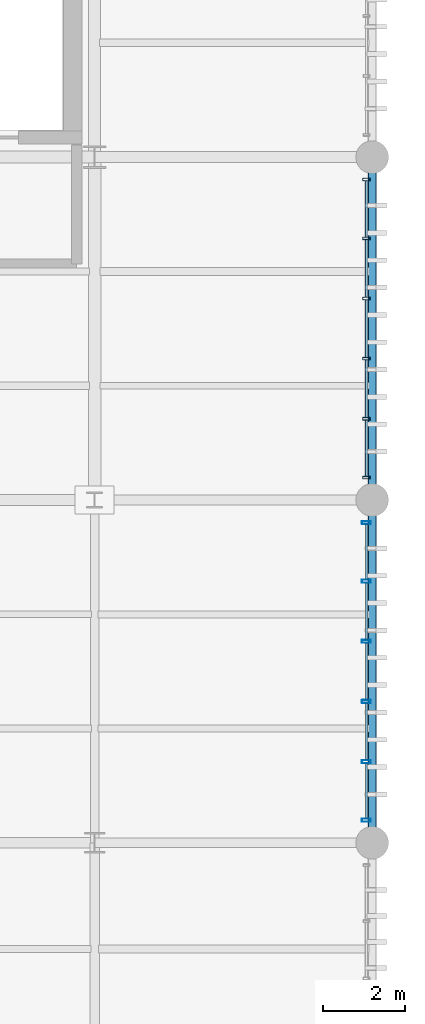
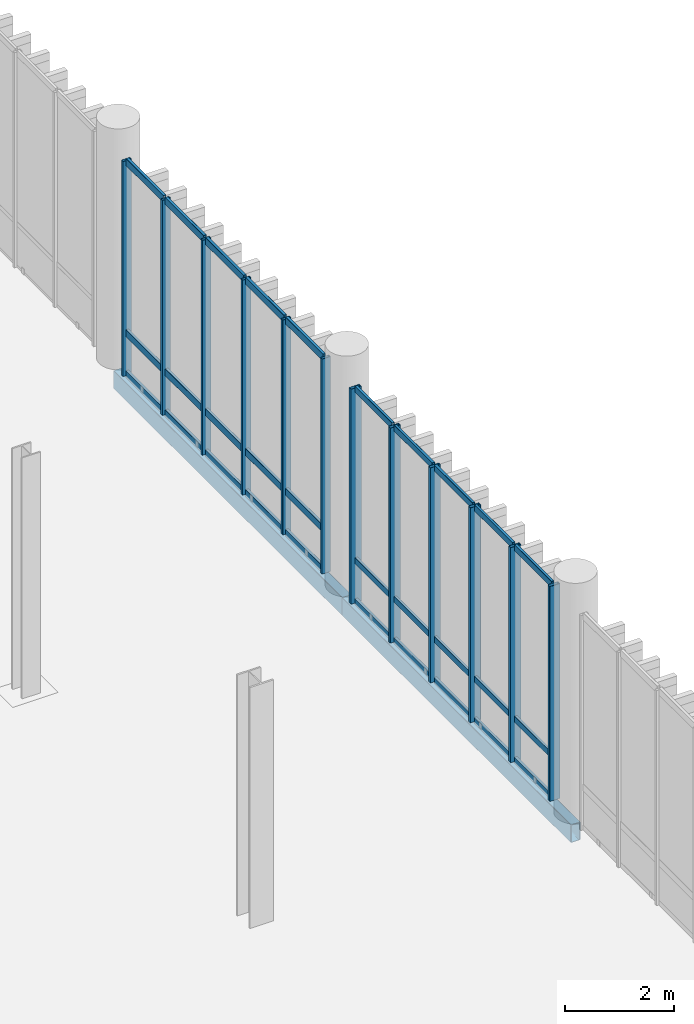
# One storey, part 67 of 112: 42 members, 2 beams, 2 elements without a shape of their own.
"""IFC4 building model written with IfcOpenShell, lengths in metres."""

import ifcopenshell
import ifcopenshell.guid

model = None  # the IFC model being written
_history = None  # IfcOwnerHistory: only IFC2X3 demands one
_inside = {}  # id of a spatial element -> (the spatial element, [elements in it])
_under = {}  # id of a project, library or spatial element -> (it, [spatial elements below it])
_declared = {}  # id of a project -> (the project, [libraries it declares])
_typed = {}  # id of a type object -> (the type object, [elements of that type])
_made_of = {}  # id of a material, layer set ... -> (it, [elements and type objects made of it])


def new_model(schema):
    """Start an empty IFC model of exactly this schema.

    Asked for "IFC4X3", IfcOpenShell would pick the latest addendum, in which some entities
    have other attributes; the version numbers below select the first issue.
    IFC2X3 requires an IfcOwnerHistory on every rooted entity: one is made here for all.
    """
    global model, _history
    if schema == "IFC4X3":
        model = ifcopenshell.file(schema_version=(4, 3, 0, 0))
    else:
        model = ifcopenshell.file(schema=schema)
    _inside.clear()
    _under.clear()
    _declared.clear()
    _typed.clear()
    _made_of.clear()
    _history = None
    if model.schema == "IFC2X3":
        org = make("IfcOrganization", Name="unknown")
        user = make(
            "IfcPersonAndOrganization",
            ThePerson=make("IfcPerson", FamilyName="unknown"),
            TheOrganization=org,
        )
        app = make(
            "IfcApplication",
            ApplicationDeveloper=org,
            Version="unknown",
            ApplicationFullName="unknown",
            ApplicationIdentifier="unknown",
        )
        _history = make(
            "IfcOwnerHistory",
            OwningUser=user,
            OwningApplication=app,
            ChangeAction="ADDED",
            CreationDate=0,
        )
    return model


def make(cls, **values):
    """One entity of the class cls with the attributes given. An attribute that is None is left unset."""
    return model.create_entity(
        cls, **{name: value for name, value in values.items() if value is not None}
    )


def rooted(cls, **values):
    """An entity with a GlobalId (a new one), such as an element, a storey or a relation."""
    return make(cls, GlobalId=ifcopenshell.guid.new(), OwnerHistory=_history, **values)


def si_unit(unit_type, name, prefix=None):
    """IfcSIUnit, for example si_unit("LENGTHUNIT", "METRE", prefix="MILLI")."""
    return make("IfcSIUnit", UnitType=unit_type, Prefix=prefix, Name=name)


def assignment(units):
    """IfcUnitAssignment: the units of a project."""
    return None if units is None else make("IfcUnitAssignment", Units=units)


def point(xyz):
    """IfcCartesianPoint."""
    return None if xyz is None else make("IfcCartesianPoint", Coordinates=xyz)


def direction(xyz):
    """IfcDirection."""
    return None if xyz is None else make("IfcDirection", DirectionRatios=xyz)


def frame(location, z_axis=None, x_axis=None):
    """IfcAxis2Placement3D, a coordinate frame: its origin and axes. An axis left out is left unset."""
    return make(
        "IfcAxis2Placement3D",
        Location=point(location),
        Axis=direction(z_axis),
        RefDirection=direction(x_axis),
    )


def frame_2d(location, x_axis=None):
    """IfcAxis2Placement2D, a coordinate frame in the plane: its origin and x axis."""
    return make(
        "IfcAxis2Placement2D", Location=point(location), RefDirection=direction(x_axis)
    )


def origin_with_axes():
    """The frame at (0, 0, 0) with the z axis (0, 0, 1) and the x axis (1, 0, 0) written out."""
    return frame((0.0, 0.0, 0.0), z_axis=(0.0, 0.0, 1.0), x_axis=(1.0, 0.0, 0.0))


def origin_2d_with_axis():
    """The frame at (0, 0) in the plane with the x axis (1, 0) written out."""
    return frame_2d((0.0, 0.0), x_axis=(1.0, 0.0))


def place(relative_to, where):
    """IfcLocalPlacement: puts the frame where relative to a parent placement (None: the world)."""
    return make(
        "IfcLocalPlacement", PlacementRelTo=relative_to, RelativePlacement=where
    )


def context(
    kind, dimensions, precision=None, world=None, true_north=None, identifier=None
):
    """IfcGeometricRepresentationContext, for example the 3D "Model" context."""
    return make(
        "IfcGeometricRepresentationContext",
        ContextIdentifier=identifier,
        ContextType=kind,
        CoordinateSpaceDimension=dimensions,
        Precision=precision,
        WorldCoordinateSystem=world,
        TrueNorth=true_north,
    )


def subcontext(parent, identifier, kind, view, scale=None):
    """IfcGeometricRepresentationSubContext, for example "Body" below "Model"."""
    return make(
        "IfcGeometricRepresentationSubContext",
        ContextIdentifier=identifier,
        ContextType=kind,
        ParentContext=parent,
        TargetScale=scale,
        TargetView=view,
    )


def project(units=None, contexts=None):
    """IfcProject with its units and contexts."""
    return rooted(
        "IfcProject",
        Name="project",
        RepresentationContexts=contexts,
        UnitsInContext=assignment(units),
    )


def spatial(cls, under=None, at=None, **own):
    """A site, building, storey or space (cls), placed at a placement, below another one or the project."""
    s = rooted(cls, ObjectPlacement=at, **own)
    if under is not None:
        _under.setdefault(under.id(), (under, []))[1].append(s)
    return s


def profile(cls, at=None, kind="AREA", **sizes):
    """A parametric profile (cls). Its sizes go by their IFC names, for example OverallWidth=200.0."""
    return make(cls, ProfileType=kind, Position=at, **sizes)


def hollow_rectangle(**sizes):
    """IfcRectangleHollowProfileDef."""
    return profile("IfcRectangleHollowProfileDef", **sizes)


def extrude(swept, where, along, depth):
    """IfcExtrudedAreaSolid: the profile swept, set in the frame where, extruded along a direction by depth."""
    return make(
        "IfcExtrudedAreaSolid",
        SweptArea=swept,
        Position=where,
        ExtrudedDirection=direction(along),
        Depth=depth,
    )


def shape(context_of_items, identifier, shape_type, items):
    """IfcShapeRepresentation: the items that make up one representation, for example the "Body"."""
    return make(
        "IfcShapeRepresentation",
        ContextOfItems=context_of_items,
        RepresentationIdentifier=identifier,
        RepresentationType=shape_type,
        Items=items,
    )


def material(Name=None, Category=None):
    """IfcMaterial."""
    return make("IfcMaterial", Name=Name, Category=Category)


def material_profile(
    of_material, cross_section, Name=None, Category=None, Priority=None
):
    """IfcMaterialProfile: a cross section and its material."""
    return make(
        "IfcMaterialProfile",
        Name=Name,
        Material=of_material,
        Profile=cross_section,
        Priority=Priority,
        Category=Category,
    )


def profile_set(profiles, Name=None, composite=None):
    """IfcMaterialProfileSet."""
    return make(
        "IfcMaterialProfileSet",
        Name=Name,
        MaterialProfiles=profiles,
        CompositeProfile=composite,
    )


def made_of(thing, what):
    """Note that an element or type object is made of a material, layer set ...; save() writes the relation."""
    if what is not None:
        _made_of.setdefault(what.id(), (what, []))[1].append(thing)
    return thing


def type_object(cls, material=None, **own):
    """A type object (cls), such as IfcWallType, which elements share."""
    return made_of(rooted(cls, **own), material)


def element(
    cls,
    number,
    at=None,
    inside=None,
    cuts=None,
    type_object=None,
    material=None,
    context=None,
    identifier="Body",
    shape_type=None,
    held_by="IfcProductDefinitionShape",
    body=None,
    shapes=None,
    **own,
):
    """One element of the class cls, such as IfcWall. Its Tag is "e" and its number.

    at: its placement. inside: the storey or other place that contains it. cuts: it is an
    opening in that element (IfcRelVoidsElement). A single representation is given by context,
    identifier, shape_type and body (its items); several are given by shapes. held_by: the class
    of the entity that holds the representations. save() writes the other relations.
    """
    e = rooted(cls, Tag="e%d" % number, ObjectPlacement=at, **own)
    if body is not None:
        shapes = [shape(context, identifier, shape_type, body)]
    if shapes is not None:
        e.Representation = make(held_by, Representations=shapes)
    if inside is not None:
        _inside.setdefault(inside.id(), (inside, []))[1].append(e)
    if cuts is not None:
        rooted(
            "IfcRelVoidsElement", RelatingBuildingElement=cuts, RelatedOpeningElement=e
        )
    if type_object is not None:
        _typed.setdefault(type_object.id(), (type_object, []))[1].append(e)
    return made_of(e, material)


def aggregate(whole, parts):
    """IfcRelAggregates: a whole, such as a stair, and the parts it consists of."""
    return rooted("IfcRelAggregates", RelatingObject=whole, RelatedObjects=parts)


def save(model, path):
    """Write the relations noted so far, then the file.

    IfcRelAggregates (storeys below a building ...), IfcRelContainedInSpatialStructure (elements
    in a storey), IfcRelDefinesByType, IfcRelAssociatesMaterial and IfcRelDeclares: one each for
    every whole, place, type object, material and project.
    """
    for whole, parts in _under.values():
        aggregate(whole, parts)
    for where, things in _inside.values():
        rooted(
            "IfcRelContainedInSpatialStructure",
            RelatedElements=things,
            RelatingStructure=where,
        )
    for kind, things in _typed.values():
        rooted("IfcRelDefinesByType", RelatedObjects=things, RelatingType=kind)
    for what, things in _made_of.values():
        rooted("IfcRelAssociatesMaterial", RelatedObjects=things, RelatingMaterial=what)
    for by, libraries in _declared.values():
        rooted("IfcRelDeclares", RelatingContext=by, RelatedDefinitions=libraries)
    model.write(path)


model = new_model("IFC4")

# Units and contexts
model_context = context("Model", 3, precision=1e-05, world=origin_with_axes(), true_north=direction((0.0, 1.0)))
body_context = subcontext(model_context, "Body", "Model", "MODEL_VIEW")
ifc_project = project(units=[si_unit("LENGTHUNIT", "METRE"), si_unit("AREAUNIT", "SQUARE_METRE"), si_unit("VOLUMEUNIT", "CUBIC_METRE"), si_unit("PLANEANGLEUNIT", "RADIAN"), si_unit("MASSUNIT", "GRAM", prefix="KILO"), si_unit("THERMODYNAMICTEMPERATUREUNIT", "KELVIN")], contexts=[model_context])

# Site, building, storey
site_placement = place(None, origin_with_axes())
site = spatial("IfcSite", under=ifc_project, at=site_placement, CompositionType="ELEMENT")
building_placement = place(site_placement, origin_with_axes())
building = spatial("IfcBuilding", under=site, at=building_placement, Name="Montbau Bow Law Courts", CompositionType="ELEMENT")
storey_placement = place(building_placement, origin_with_axes())
storey = spatial("IfcBuildingStorey", under=building, at=storey_placement, Name="L00", CompositionType="ELEMENT", Elevation=0.0)

# Beams
ifc_material_1 = material(Name="Steel CSA G40.21 Grade 350WT (350 MPa)", Category="steel")
ifc_material_profile_1 = material_profile(ifc_material_1, hollow_rectangle(XDim=0.203, YDim=0.406, WallThickness=0.0127, InnerFilletRadius=0.0254, OuterFilletRadius=0.0127, at=origin_2d_with_axis()), Name="HSS406X203X13", Category="Main", Priority=0)
ifc_profile_set_1 = profile_set([ifc_material_profile_1], Name="Steel CSA G40.21 Grade 350WT (350 MPa)")
beam_type = type_object("IfcBeamType", Name="B-SPN-01", PredefinedType="SPANDREL", material=ifc_profile_set_1)
for number, where, z_axis, x_axis, name in (
    (1, (169.4, 69.6, -0.463), (0.0, 1.0, 0.0), (-1.0, 0.0, 0.0), "SPN-L00-S0460:bm2_0463"),
    (2, (169.4, 78.0, -0.463), (0.0, 1.0, 0.0), (-1.0, 0.0, 0.0), "SPN-L00-S0461:bm2_0464"),
):
    element("IfcBeam", number, at=place(None, frame(where, z_axis=z_axis, x_axis=x_axis)), inside=storey, type_object=beam_type, Name=name, PredefinedType="SPANDREL", context=body_context, shape_type="SweptSolid", body=[
        extrude(hollow_rectangle(XDim=0.203, YDim=0.406, WallThickness=0.0127, InnerFilletRadius=0.0254, OuterFilletRadius=0.0127, at=origin_2d_with_axis()), origin_with_axes(), (0.0, 0.0, 1.0), 8.4),
    ])

# Curtain wall, members
ifc_material_2 = material(Name="Thermally Broken Extruded Aluminium AA 6063-T6", Category="aluminium")
curtain_wall_type = type_object("IfcCurtainWallType", Name="CW-SLT-01", PredefinedType="NOTDEFINED", material=ifc_material_2)
curtain_wall_1_placement = place(None, frame((169.26, 70.115, 0.0), z_axis=(0.0, 0.0, 1.0), x_axis=(1.0, 0.0, 0.0)))
curtain_wall_1 = element("IfcCurtainWall", 3, at=curtain_wall_1_placement, inside=storey, type_object=curtain_wall_type, Name="CW-L00-273:cw_0273", PredefinedType="NOTDEFINED")
ifc_material_profile_2 = material_profile(ifc_material_2, hollow_rectangle(XDim=0.075, YDim=0.22, WallThickness=0.005, InnerFilletRadius=0.01, OuterFilletRadius=0.005, at=origin_2d_with_axis()), Name="CWM-220X75", Category="Main", Priority=0)
ifc_profile_set_2 = profile_set([ifc_material_profile_2], Name="Thermally Broken Extruded Aluminium AA 6063-T6")
member_type_1 = type_object("IfcMemberType", Name="M-MUL-01", PredefinedType="MULLION", material=ifc_profile_set_2)
member_1_placement = place(None, frame((169.26, 70.152, 0.0), z_axis=(0.0, 0.0, 1.0), x_axis=(0.0, 1.0, 0.0)))
member_1 = element("IfcMember", 4, at=member_1_placement, type_object=member_type_1, Name="CW-L00-273-M01:cw_0273_M01", PredefinedType="MULLION", context=body_context, shape_type="SweptSolid", body=[
    extrude(hollow_rectangle(XDim=0.075, YDim=0.22, WallThickness=0.005, InnerFilletRadius=0.01, OuterFilletRadius=0.005, at=origin_2d_with_axis()), origin_with_axes(), (0.0, 0.0, 1.0), 4.82),
])
member_2_placement = place(None, frame((169.26, 71.589, 0.0), z_axis=(0.0, 0.0, 1.0), x_axis=(0.0, 1.0, 0.0)))
member_2 = element("IfcMember", 5, at=member_2_placement, type_object=member_type_1, Name="CW-L00-273-M02:cw_0273_M02", PredefinedType="MULLION", context=body_context, shape_type="SweptSolid", body=[
    extrude(hollow_rectangle(XDim=0.075, YDim=0.22, WallThickness=0.005, InnerFilletRadius=0.01, OuterFilletRadius=0.005, at=origin_2d_with_axis()), origin_with_axes(), (0.0, 0.0, 1.0), 4.82),
])
member_3_placement = place(None, frame((169.26, 73.063, 0.0), z_axis=(0.0, 0.0, 1.0), x_axis=(0.0, 1.0, 0.0)))
member_3 = element("IfcMember", 6, at=member_3_placement, type_object=member_type_1, Name="CW-L00-273-M03:cw_0273_M03", PredefinedType="MULLION", context=body_context, shape_type="SweptSolid", body=[
    extrude(hollow_rectangle(XDim=0.075, YDim=0.22, WallThickness=0.005, InnerFilletRadius=0.01, OuterFilletRadius=0.005, at=origin_2d_with_axis()), origin_with_axes(), (0.0, 0.0, 1.0), 4.82),
])
member_4_placement = place(None, frame((169.26, 74.537, 0.0), z_axis=(0.0, 0.0, 1.0), x_axis=(0.0, 1.0, 0.0)))
member_4 = element("IfcMember", 7, at=member_4_placement, type_object=member_type_1, Name="CW-L00-273-M04:cw_0273_M04", PredefinedType="MULLION", context=body_context, shape_type="SweptSolid", body=[
    extrude(hollow_rectangle(XDim=0.075, YDim=0.22, WallThickness=0.005, InnerFilletRadius=0.01, OuterFilletRadius=0.005, at=origin_2d_with_axis()), origin_with_axes(), (0.0, 0.0, 1.0), 4.82),
])
member_5_placement = place(None, frame((169.26, 76.011, 0.0), z_axis=(0.0, 0.0, 1.0), x_axis=(0.0, 1.0, 0.0)))
member_5 = element("IfcMember", 8, at=member_5_placement, type_object=member_type_1, Name="CW-L00-273-M05:cw_0273_M05", PredefinedType="MULLION", context=body_context, shape_type="SweptSolid", body=[
    extrude(hollow_rectangle(XDim=0.075, YDim=0.22, WallThickness=0.005, InnerFilletRadius=0.01, OuterFilletRadius=0.005, at=origin_2d_with_axis()), origin_with_axes(), (0.0, 0.0, 1.0), 4.82),
])
member_6_placement = place(None, frame((169.26, 77.448, 0.0), z_axis=(0.0, 0.0, 1.0), x_axis=(0.0, 1.0, 0.0)))
member_6 = element("IfcMember", 9, at=member_6_placement, type_object=member_type_1, Name="CW-L00-273-M06:cw_0273_M06", PredefinedType="MULLION", context=body_context, shape_type="SweptSolid", body=[
    extrude(hollow_rectangle(XDim=0.075, YDim=0.22, WallThickness=0.005, InnerFilletRadius=0.01, OuterFilletRadius=0.005, at=origin_2d_with_axis()), origin_with_axes(), (0.0, 0.0, 1.0), 4.82),
])

curtain_wall_2_placement = place(None, frame((169.26, 78.515, 0.0), z_axis=(0.0, 0.0, 1.0), x_axis=(1.0, 0.0, 0.0)))
curtain_wall_2 = element("IfcCurtainWall", 10, at=curtain_wall_2_placement, inside=storey, type_object=curtain_wall_type, Name="CW-L00-274:cw_0274", PredefinedType="NOTDEFINED")
ifc_material_profile_3 = material_profile(ifc_material_2, hollow_rectangle(XDim=0.065, YDim=0.18, WallThickness=0.005, InnerFilletRadius=0.01, OuterFilletRadius=0.005, at=origin_2d_with_axis()), Name="CWM-180X65", Category="Main", Priority=0)
ifc_profile_set_3 = profile_set([ifc_material_profile_3], Name="Thermally Broken Extruded Aluminium AA 6063-T6")
member_type_2 = type_object("IfcMemberType", Name="M-MUL-02", PredefinedType="MULLION", material=ifc_profile_set_3)
member_7_placement = place(None, frame((169.26, 78.548, 0.0), z_axis=(0.0, 0.0, 1.0), x_axis=(0.0, 1.0, 0.0)))
member_7 = element("IfcMember", 11, at=member_7_placement, type_object=member_type_2, Name="CW-L00-274-M01:cw_0274_M01", PredefinedType="MULLION", context=body_context, shape_type="SweptSolid", body=[
    extrude(hollow_rectangle(XDim=0.065, YDim=0.18, WallThickness=0.005, InnerFilletRadius=0.01, OuterFilletRadius=0.005, at=origin_2d_with_axis()), origin_with_axes(), (0.0, 0.0, 1.0), 4.82),
])
member_8_placement = place(None, frame((169.26, 79.989, 0.0), z_axis=(0.0, 0.0, 1.0), x_axis=(0.0, 1.0, 0.0)))
member_8 = element("IfcMember", 12, at=member_8_placement, type_object=member_type_2, Name="CW-L00-274-M02:cw_0274_M02", PredefinedType="MULLION", context=body_context, shape_type="SweptSolid", body=[
    extrude(hollow_rectangle(XDim=0.065, YDim=0.18, WallThickness=0.005, InnerFilletRadius=0.01, OuterFilletRadius=0.005, at=origin_2d_with_axis()), origin_with_axes(), (0.0, 0.0, 1.0), 4.82),
])
member_9_placement = place(None, frame((169.26, 81.463, 0.0), z_axis=(0.0, 0.0, 1.0), x_axis=(0.0, 1.0, 0.0)))
member_9 = element("IfcMember", 13, at=member_9_placement, type_object=member_type_2, Name="CW-L00-274-M03:cw_0274_M03", PredefinedType="MULLION", context=body_context, shape_type="SweptSolid", body=[
    extrude(hollow_rectangle(XDim=0.065, YDim=0.18, WallThickness=0.005, InnerFilletRadius=0.01, OuterFilletRadius=0.005, at=origin_2d_with_axis()), origin_with_axes(), (0.0, 0.0, 1.0), 4.82),
])
member_10_placement = place(None, frame((169.26, 82.937, 0.0), z_axis=(0.0, 0.0, 1.0), x_axis=(0.0, 1.0, 0.0)))
member_10 = element("IfcMember", 14, at=member_10_placement, type_object=member_type_2, Name="CW-L00-274-M04:cw_0274_M04", PredefinedType="MULLION", context=body_context, shape_type="SweptSolid", body=[
    extrude(hollow_rectangle(XDim=0.065, YDim=0.18, WallThickness=0.005, InnerFilletRadius=0.01, OuterFilletRadius=0.005, at=origin_2d_with_axis()), origin_with_axes(), (0.0, 0.0, 1.0), 4.82),
])
member_11_placement = place(None, frame((169.26, 84.411, 0.0), z_axis=(0.0, 0.0, 1.0), x_axis=(0.0, 1.0, 0.0)))
member_11 = element("IfcMember", 15, at=member_11_placement, type_object=member_type_2, Name="CW-L00-274-M05:cw_0274_M05", PredefinedType="MULLION", context=body_context, shape_type="SweptSolid", body=[
    extrude(hollow_rectangle(XDim=0.065, YDim=0.18, WallThickness=0.005, InnerFilletRadius=0.01, OuterFilletRadius=0.005, at=origin_2d_with_axis()), origin_with_axes(), (0.0, 0.0, 1.0), 4.82),
])
member_12_placement = place(None, frame((169.26, 85.853, 0.0), z_axis=(0.0, 0.0, 1.0), x_axis=(0.0, 1.0, 0.0)))
member_12 = element("IfcMember", 16, at=member_12_placement, type_object=member_type_2, Name="CW-L00-274-M06:cw_0274_M06", PredefinedType="MULLION", context=body_context, shape_type="SweptSolid", body=[
    extrude(hollow_rectangle(XDim=0.065, YDim=0.18, WallThickness=0.005, InnerFilletRadius=0.01, OuterFilletRadius=0.005, at=origin_2d_with_axis()), origin_with_axes(), (0.0, 0.0, 1.0), 4.82),
])
ifc_material_profile_4 = material_profile(ifc_material_2, hollow_rectangle(XDim=0.06, YDim=0.16, WallThickness=0.004, InnerFilletRadius=0.008, OuterFilletRadius=0.004, at=origin_2d_with_axis()), Name="CWT-160X60", Category="Main", Priority=0)
ifc_profile_set_4 = profile_set([ifc_material_profile_4], Name="Thermally Broken Extruded Aluminium AA 6063-T6")
member_type_3 = type_object("IfcMemberType", Name="M-TRN-01", PredefinedType="USERDEFINED", material=ifc_profile_set_4)
member_13_placement = place(None, frame((169.26, 78.583, 0.03), z_axis=(0.0, 1.0, 0.0), x_axis=(-1.0, 0.0, 0.0)))
member_13 = element("IfcMember", 17, at=member_13_placement, type_object=member_type_3, Name="CW-L00-274-T01-1:cw_0274_T01_1", ObjectType="TRANSOM", PredefinedType="USERDEFINED", context=body_context, shape_type="SweptSolid", body=[
    extrude(hollow_rectangle(XDim=0.06, YDim=0.16, WallThickness=0.004, InnerFilletRadius=0.008, OuterFilletRadius=0.004, at=origin_2d_with_axis()), origin_with_axes(), (0.0, 0.0, 1.0), 1.372),
])
member_14_placement = place(None, frame((169.26, 78.583, 0.95), z_axis=(0.0, 1.0, 0.0), x_axis=(-1.0, 0.0, 0.0)))
member_14 = element("IfcMember", 18, at=member_14_placement, type_object=member_type_3, Name="CW-L00-274-T01-2:cw_0274_T01_2", ObjectType="TRANSOM", PredefinedType="USERDEFINED", context=body_context, shape_type="SweptSolid", body=[
    extrude(hollow_rectangle(XDim=0.06, YDim=0.16, WallThickness=0.004, InnerFilletRadius=0.008, OuterFilletRadius=0.004, at=origin_2d_with_axis()), origin_with_axes(), (0.0, 0.0, 1.0), 1.372),
])
member_15_placement = place(None, frame((169.26, 78.583, 4.79), z_axis=(0.0, 1.0, 0.0), x_axis=(-1.0, 0.0, 0.0)))
member_15 = element("IfcMember", 19, at=member_15_placement, type_object=member_type_3, Name="CW-L00-274-T01-3:cw_0274_T01_3", ObjectType="TRANSOM", PredefinedType="USERDEFINED", context=body_context, shape_type="SweptSolid", body=[
    extrude(hollow_rectangle(XDim=0.06, YDim=0.16, WallThickness=0.004, InnerFilletRadius=0.008, OuterFilletRadius=0.004, at=origin_2d_with_axis()), origin_with_axes(), (0.0, 0.0, 1.0), 1.372),
])
member_16_placement = place(None, frame((169.26, 80.023, 0.03), z_axis=(0.0, 1.0, 0.0), x_axis=(-1.0, 0.0, 0.0)))
member_16 = element("IfcMember", 20, at=member_16_placement, type_object=member_type_3, Name="CW-L00-274-T02-1:cw_0274_T02_1", ObjectType="TRANSOM", PredefinedType="USERDEFINED", context=body_context, shape_type="SweptSolid", body=[
    extrude(hollow_rectangle(XDim=0.06, YDim=0.16, WallThickness=0.004, InnerFilletRadius=0.008, OuterFilletRadius=0.004, at=origin_2d_with_axis()), origin_with_axes(), (0.0, 0.0, 1.0), 1.405),
])
member_17_placement = place(None, frame((169.26, 80.023, 0.95), z_axis=(0.0, 1.0, 0.0), x_axis=(-1.0, 0.0, 0.0)))
member_17 = element("IfcMember", 21, at=member_17_placement, type_object=member_type_3, Name="CW-L00-274-T02-2:cw_0274_T02_2", ObjectType="TRANSOM", PredefinedType="USERDEFINED", context=body_context, shape_type="SweptSolid", body=[
    extrude(hollow_rectangle(XDim=0.06, YDim=0.16, WallThickness=0.004, InnerFilletRadius=0.008, OuterFilletRadius=0.004, at=origin_2d_with_axis()), origin_with_axes(), (0.0, 0.0, 1.0), 1.405),
])
member_18_placement = place(None, frame((169.26, 80.023, 4.79), z_axis=(0.0, 1.0, 0.0), x_axis=(-1.0, 0.0, 0.0)))
member_18 = element("IfcMember", 22, at=member_18_placement, type_object=member_type_3, Name="CW-L00-274-T02-3:cw_0274_T02_3", ObjectType="TRANSOM", PredefinedType="USERDEFINED", context=body_context, shape_type="SweptSolid", body=[
    extrude(hollow_rectangle(XDim=0.06, YDim=0.16, WallThickness=0.004, InnerFilletRadius=0.008, OuterFilletRadius=0.004, at=origin_2d_with_axis()), origin_with_axes(), (0.0, 0.0, 1.0), 1.405),
])
member_19_placement = place(None, frame((169.26, 81.497, 0.03), z_axis=(0.0, 1.0, 0.0), x_axis=(-1.0, 0.0, 0.0)))
member_19 = element("IfcMember", 23, at=member_19_placement, type_object=member_type_3, Name="CW-L00-274-T03-1:cw_0274_T03_1", ObjectType="TRANSOM", PredefinedType="USERDEFINED", context=body_context, shape_type="SweptSolid", body=[
    extrude(hollow_rectangle(XDim=0.06, YDim=0.16, WallThickness=0.004, InnerFilletRadius=0.008, OuterFilletRadius=0.004, at=origin_2d_with_axis()), origin_with_axes(), (0.0, 0.0, 1.0), 1.406),
])
member_20_placement = place(None, frame((169.26, 81.497, 0.95), z_axis=(0.0, 1.0, 0.0), x_axis=(-1.0, 0.0, 0.0)))
member_20 = element("IfcMember", 24, at=member_20_placement, type_object=member_type_3, Name="CW-L00-274-T03-2:cw_0274_T03_2", ObjectType="TRANSOM", PredefinedType="USERDEFINED", context=body_context, shape_type="SweptSolid", body=[
    extrude(hollow_rectangle(XDim=0.06, YDim=0.16, WallThickness=0.004, InnerFilletRadius=0.008, OuterFilletRadius=0.004, at=origin_2d_with_axis()), origin_with_axes(), (0.0, 0.0, 1.0), 1.406),
])
member_21_placement = place(None, frame((169.26, 81.497, 4.79), z_axis=(0.0, 1.0, 0.0), x_axis=(-1.0, 0.0, 0.0)))
member_21 = element("IfcMember", 25, at=member_21_placement, type_object=member_type_3, Name="CW-L00-274-T03-3:cw_0274_T03_3", ObjectType="TRANSOM", PredefinedType="USERDEFINED", context=body_context, shape_type="SweptSolid", body=[
    extrude(hollow_rectangle(XDim=0.06, YDim=0.16, WallThickness=0.004, InnerFilletRadius=0.008, OuterFilletRadius=0.004, at=origin_2d_with_axis()), origin_with_axes(), (0.0, 0.0, 1.0), 1.406),
])
member_22_placement = place(None, frame((169.26, 82.971, 0.03), z_axis=(0.0, 1.0, 0.0), x_axis=(-1.0, 0.0, 0.0)))
member_22 = element("IfcMember", 26, at=member_22_placement, type_object=member_type_3, Name="CW-L00-274-T04-1:cw_0274_T04_1", ObjectType="TRANSOM", PredefinedType="USERDEFINED", context=body_context, shape_type="SweptSolid", body=[
    extrude(hollow_rectangle(XDim=0.06, YDim=0.16, WallThickness=0.004, InnerFilletRadius=0.008, OuterFilletRadius=0.004, at=origin_2d_with_axis()), origin_with_axes(), (0.0, 0.0, 1.0), 1.406),
])
member_23_placement = place(None, frame((169.26, 82.971, 0.95), z_axis=(0.0, 1.0, 0.0), x_axis=(-1.0, 0.0, 0.0)))
member_23 = element("IfcMember", 27, at=member_23_placement, type_object=member_type_3, Name="CW-L00-274-T04-2:cw_0274_T04_2", ObjectType="TRANSOM", PredefinedType="USERDEFINED", context=body_context, shape_type="SweptSolid", body=[
    extrude(hollow_rectangle(XDim=0.06, YDim=0.16, WallThickness=0.004, InnerFilletRadius=0.008, OuterFilletRadius=0.004, at=origin_2d_with_axis()), origin_with_axes(), (0.0, 0.0, 1.0), 1.406),
])
member_24_placement = place(None, frame((169.26, 82.971, 4.79), z_axis=(0.0, 1.0, 0.0), x_axis=(-1.0, 0.0, 0.0)))
member_24 = element("IfcMember", 28, at=member_24_placement, type_object=member_type_3, Name="CW-L00-274-T04-3:cw_0274_T04_3", ObjectType="TRANSOM", PredefinedType="USERDEFINED", context=body_context, shape_type="SweptSolid", body=[
    extrude(hollow_rectangle(XDim=0.06, YDim=0.16, WallThickness=0.004, InnerFilletRadius=0.008, OuterFilletRadius=0.004, at=origin_2d_with_axis()), origin_with_axes(), (0.0, 0.0, 1.0), 1.406),
])
member_25_placement = place(None, frame((169.26, 84.445, 0.03), z_axis=(0.0, 1.0, 0.0), x_axis=(-1.0, 0.0, 0.0)))
member_25 = element("IfcMember", 29, at=member_25_placement, type_object=member_type_3, Name="CW-L00-274-T05-1:cw_0274_T05_1", ObjectType="TRANSOM", PredefinedType="USERDEFINED", context=body_context, shape_type="SweptSolid", body=[
    extrude(hollow_rectangle(XDim=0.06, YDim=0.16, WallThickness=0.004, InnerFilletRadius=0.008, OuterFilletRadius=0.004, at=origin_2d_with_axis()), origin_with_axes(), (0.0, 0.0, 1.0), 1.374),
])
member_26_placement = place(None, frame((169.26, 84.445, 0.95), z_axis=(0.0, 1.0, 0.0), x_axis=(-1.0, 0.0, 0.0)))
member_26 = element("IfcMember", 30, at=member_26_placement, type_object=member_type_3, Name="CW-L00-274-T05-2:cw_0274_T05_2", ObjectType="TRANSOM", PredefinedType="USERDEFINED", context=body_context, shape_type="SweptSolid", body=[
    extrude(hollow_rectangle(XDim=0.06, YDim=0.16, WallThickness=0.004, InnerFilletRadius=0.008, OuterFilletRadius=0.004, at=origin_2d_with_axis()), origin_with_axes(), (0.0, 0.0, 1.0), 1.374),
])
member_27_placement = place(None, frame((169.26, 84.445, 4.79), z_axis=(0.0, 1.0, 0.0), x_axis=(-1.0, 0.0, 0.0)))
member_27 = element("IfcMember", 31, at=member_27_placement, type_object=member_type_3, Name="CW-L00-274-T05-3:cw_0274_T05_3", ObjectType="TRANSOM", PredefinedType="USERDEFINED", context=body_context, shape_type="SweptSolid", body=[
    extrude(hollow_rectangle(XDim=0.06, YDim=0.16, WallThickness=0.004, InnerFilletRadius=0.008, OuterFilletRadius=0.004, at=origin_2d_with_axis()), origin_with_axes(), (0.0, 0.0, 1.0), 1.374),
])
aggregate(curtain_wall_2, [member_7, member_8, member_9, member_10, member_11, member_12, member_13, member_14, member_15, member_16, member_17, member_18, member_19, member_20, member_21, member_22, member_23, member_24, member_25, member_26, member_27])

# Member
ifc_material_profile_5 = material_profile(ifc_material_2, hollow_rectangle(XDim=0.055, YDim=0.14, WallThickness=0.004, InnerFilletRadius=0.008, OuterFilletRadius=0.004, at=origin_2d_with_axis()), Name="CWT-140X55", Category="Main", Priority=0)
ifc_profile_set_5 = profile_set([ifc_material_profile_5], Name="Thermally Broken Extruded Aluminium AA 6063-T6")
member_type_4 = type_object("IfcMemberType", Name="M-TRN-02", PredefinedType="USERDEFINED", material=ifc_profile_set_5)
member_28_placement = place(None, frame((169.26, 70.191, 0.028), z_axis=(0.0, 1.0, 0.0), x_axis=(-1.0, 0.0, 0.0)))
member_28 = element("IfcMember", 32, at=member_28_placement, type_object=member_type_4, Name="CW-L00-273-T01-1:cw_0273_T01_1", ObjectType="TRANSOM", PredefinedType="USERDEFINED", context=body_context, shape_type="SweptSolid", body=[
    extrude(hollow_rectangle(XDim=0.055, YDim=0.14, WallThickness=0.004, InnerFilletRadius=0.008, OuterFilletRadius=0.004, at=origin_2d_with_axis()), origin_with_axes(), (0.0, 0.0, 1.0), 1.358),
])

member_29_placement = place(None, frame((169.26, 70.191, 0.95), z_axis=(0.0, 1.0, 0.0), x_axis=(-1.0, 0.0, 0.0)))
member_29 = element("IfcMember", 33, at=member_29_placement, type_object=member_type_4, Name="CW-L00-273-T01-2:cw_0273_T01_2", ObjectType="TRANSOM", PredefinedType="USERDEFINED", context=body_context, shape_type="SweptSolid", body=[
    extrude(hollow_rectangle(XDim=0.055, YDim=0.14, WallThickness=0.004, InnerFilletRadius=0.008, OuterFilletRadius=0.004, at=origin_2d_with_axis()), origin_with_axes(), (0.0, 0.0, 1.0), 1.358),
])

member_30_placement = place(None, frame((169.26, 70.191, 4.793), z_axis=(0.0, 1.0, 0.0), x_axis=(-1.0, 0.0, 0.0)))
member_30 = element("IfcMember", 34, at=member_30_placement, type_object=member_type_4, Name="CW-L00-273-T01-3:cw_0273_T01_3", ObjectType="TRANSOM", PredefinedType="USERDEFINED", context=body_context, shape_type="SweptSolid", body=[
    extrude(hollow_rectangle(XDim=0.055, YDim=0.14, WallThickness=0.004, InnerFilletRadius=0.008, OuterFilletRadius=0.004, at=origin_2d_with_axis()), origin_with_axes(), (0.0, 0.0, 1.0), 1.358),
])

member_31_placement = place(None, frame((169.26, 71.629, 0.028), z_axis=(0.0, 1.0, 0.0), x_axis=(-1.0, 0.0, 0.0)))
member_31 = element("IfcMember", 35, at=member_31_placement, type_object=member_type_4, Name="CW-L00-273-T02-1:cw_0273_T02_1", ObjectType="TRANSOM", PredefinedType="USERDEFINED", context=body_context, shape_type="SweptSolid", body=[
    extrude(hollow_rectangle(XDim=0.055, YDim=0.14, WallThickness=0.004, InnerFilletRadius=0.008, OuterFilletRadius=0.004, at=origin_2d_with_axis()), origin_with_axes(), (0.0, 0.0, 1.0), 1.395),
])

member_32_placement = place(None, frame((169.26, 71.629, 0.95), z_axis=(0.0, 1.0, 0.0), x_axis=(-1.0, 0.0, 0.0)))
member_32 = element("IfcMember", 36, at=member_32_placement, type_object=member_type_4, Name="CW-L00-273-T02-2:cw_0273_T02_2", ObjectType="TRANSOM", PredefinedType="USERDEFINED", context=body_context, shape_type="SweptSolid", body=[
    extrude(hollow_rectangle(XDim=0.055, YDim=0.14, WallThickness=0.004, InnerFilletRadius=0.008, OuterFilletRadius=0.004, at=origin_2d_with_axis()), origin_with_axes(), (0.0, 0.0, 1.0), 1.395),
])

member_33_placement = place(None, frame((169.26, 71.629, 4.793), z_axis=(0.0, 1.0, 0.0), x_axis=(-1.0, 0.0, 0.0)))
member_33 = element("IfcMember", 37, at=member_33_placement, type_object=member_type_4, Name="CW-L00-273-T02-3:cw_0273_T02_3", ObjectType="TRANSOM", PredefinedType="USERDEFINED", context=body_context, shape_type="SweptSolid", body=[
    extrude(hollow_rectangle(XDim=0.055, YDim=0.14, WallThickness=0.004, InnerFilletRadius=0.008, OuterFilletRadius=0.004, at=origin_2d_with_axis()), origin_with_axes(), (0.0, 0.0, 1.0), 1.395),
])

member_34_placement = place(None, frame((169.26, 73.102, 0.028), z_axis=(0.0, 1.0, 0.0), x_axis=(-1.0, 0.0, 0.0)))
member_34 = element("IfcMember", 38, at=member_34_placement, type_object=member_type_4, Name="CW-L00-273-T03-1:cw_0273_T03_1", ObjectType="TRANSOM", PredefinedType="USERDEFINED", context=body_context, shape_type="SweptSolid", body=[
    extrude(hollow_rectangle(XDim=0.055, YDim=0.14, WallThickness=0.004, InnerFilletRadius=0.008, OuterFilletRadius=0.004, at=origin_2d_with_axis()), origin_with_axes(), (0.0, 0.0, 1.0), 1.396),
])

member_35_placement = place(None, frame((169.26, 73.102, 0.95), z_axis=(0.0, 1.0, 0.0), x_axis=(-1.0, 0.0, 0.0)))
member_35 = element("IfcMember", 39, at=member_35_placement, type_object=member_type_4, Name="CW-L00-273-T03-2:cw_0273_T03_2", ObjectType="TRANSOM", PredefinedType="USERDEFINED", context=body_context, shape_type="SweptSolid", body=[
    extrude(hollow_rectangle(XDim=0.055, YDim=0.14, WallThickness=0.004, InnerFilletRadius=0.008, OuterFilletRadius=0.004, at=origin_2d_with_axis()), origin_with_axes(), (0.0, 0.0, 1.0), 1.396),
])

member_36_placement = place(None, frame((169.26, 73.102, 4.793), z_axis=(0.0, 1.0, 0.0), x_axis=(-1.0, 0.0, 0.0)))
member_36 = element("IfcMember", 40, at=member_36_placement, type_object=member_type_4, Name="CW-L00-273-T03-3:cw_0273_T03_3", ObjectType="TRANSOM", PredefinedType="USERDEFINED", context=body_context, shape_type="SweptSolid", body=[
    extrude(hollow_rectangle(XDim=0.055, YDim=0.14, WallThickness=0.004, InnerFilletRadius=0.008, OuterFilletRadius=0.004, at=origin_2d_with_axis()), origin_with_axes(), (0.0, 0.0, 1.0), 1.396),
])

member_37_placement = place(None, frame((169.26, 74.576, 0.028), z_axis=(0.0, 1.0, 0.0), x_axis=(-1.0, 0.0, 0.0)))
member_37 = element("IfcMember", 41, at=member_37_placement, type_object=member_type_4, Name="CW-L00-273-T04-1:cw_0273_T04_1", ObjectType="TRANSOM", PredefinedType="USERDEFINED", context=body_context, shape_type="SweptSolid", body=[
    extrude(hollow_rectangle(XDim=0.055, YDim=0.14, WallThickness=0.004, InnerFilletRadius=0.008, OuterFilletRadius=0.004, at=origin_2d_with_axis()), origin_with_axes(), (0.0, 0.0, 1.0), 1.396),
])

member_38_placement = place(None, frame((169.26, 74.576, 0.95), z_axis=(0.0, 1.0, 0.0), x_axis=(-1.0, 0.0, 0.0)))
member_38 = element("IfcMember", 42, at=member_38_placement, type_object=member_type_4, Name="CW-L00-273-T04-2:cw_0273_T04_2", ObjectType="TRANSOM", PredefinedType="USERDEFINED", context=body_context, shape_type="SweptSolid", body=[
    extrude(hollow_rectangle(XDim=0.055, YDim=0.14, WallThickness=0.004, InnerFilletRadius=0.008, OuterFilletRadius=0.004, at=origin_2d_with_axis()), origin_with_axes(), (0.0, 0.0, 1.0), 1.396),
])

member_39_placement = place(None, frame((169.26, 74.576, 4.793), z_axis=(0.0, 1.0, 0.0), x_axis=(-1.0, 0.0, 0.0)))
member_39 = element("IfcMember", 43, at=member_39_placement, type_object=member_type_4, Name="CW-L00-273-T04-3:cw_0273_T04_3", ObjectType="TRANSOM", PredefinedType="USERDEFINED", context=body_context, shape_type="SweptSolid", body=[
    extrude(hollow_rectangle(XDim=0.055, YDim=0.14, WallThickness=0.004, InnerFilletRadius=0.008, OuterFilletRadius=0.004, at=origin_2d_with_axis()), origin_with_axes(), (0.0, 0.0, 1.0), 1.396),
])

member_40_placement = place(None, frame((169.26, 76.05, 0.028), z_axis=(0.0, 1.0, 0.0), x_axis=(-1.0, 0.0, 0.0)))
member_40 = element("IfcMember", 44, at=member_40_placement, type_object=member_type_4, Name="CW-L00-273-T05-1:cw_0273_T05_1", ObjectType="TRANSOM", PredefinedType="USERDEFINED", context=body_context, shape_type="SweptSolid", body=[
    extrude(hollow_rectangle(XDim=0.055, YDim=0.14, WallThickness=0.004, InnerFilletRadius=0.008, OuterFilletRadius=0.004, at=origin_2d_with_axis()), origin_with_axes(), (0.0, 0.0, 1.0), 1.359),
])

member_41_placement = place(None, frame((169.26, 76.05, 0.95), z_axis=(0.0, 1.0, 0.0), x_axis=(-1.0, 0.0, 0.0)))
member_41 = element("IfcMember", 45, at=member_41_placement, type_object=member_type_4, Name="CW-L00-273-T05-2:cw_0273_T05_2", ObjectType="TRANSOM", PredefinedType="USERDEFINED", context=body_context, shape_type="SweptSolid", body=[
    extrude(hollow_rectangle(XDim=0.055, YDim=0.14, WallThickness=0.004, InnerFilletRadius=0.008, OuterFilletRadius=0.004, at=origin_2d_with_axis()), origin_with_axes(), (0.0, 0.0, 1.0), 1.359),
])

member_42_placement = place(None, frame((169.26, 76.05, 4.793), z_axis=(0.0, 1.0, 0.0), x_axis=(-1.0, 0.0, 0.0)))
member_42 = element("IfcMember", 46, at=member_42_placement, type_object=member_type_4, Name="CW-L00-273-T05-3:cw_0273_T05_3", ObjectType="TRANSOM", PredefinedType="USERDEFINED", context=body_context, shape_type="SweptSolid", body=[
    extrude(hollow_rectangle(XDim=0.055, YDim=0.14, WallThickness=0.004, InnerFilletRadius=0.008, OuterFilletRadius=0.004, at=origin_2d_with_axis()), origin_with_axes(), (0.0, 0.0, 1.0), 1.359),
])

aggregate(curtain_wall_1, [member_1, member_2, member_3, member_4, member_5, member_6, member_28, member_29, member_30, member_31, member_32, member_33, member_34, member_35, member_36, member_37, member_38, member_39, member_40, member_41, member_42])

save(model, "model.ifc")
